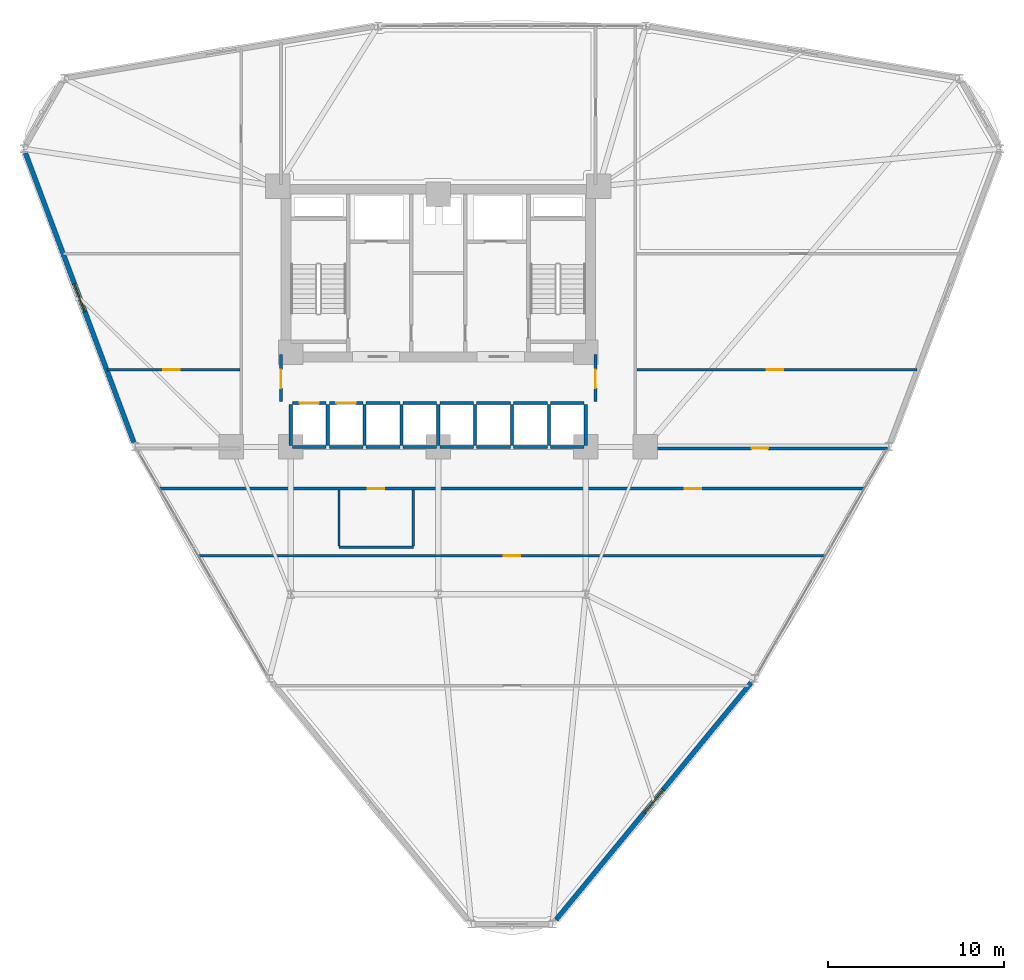
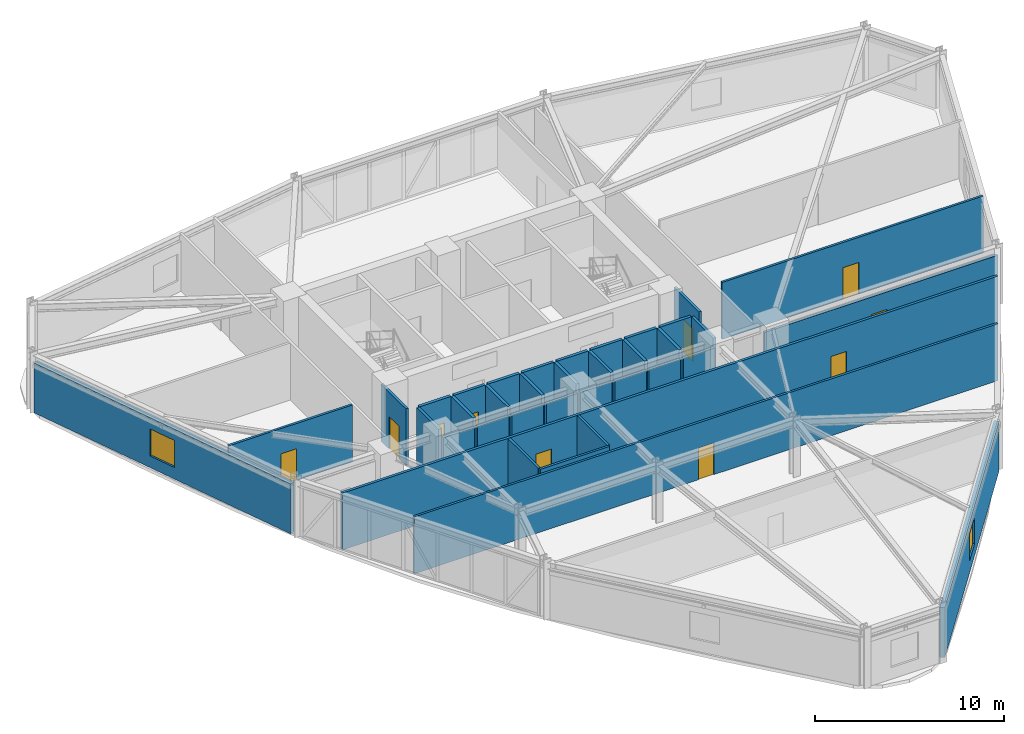
# One storey, part 14 of 20: 37 walls, 10 doors, 2 windows, 12 openings.
"""IFC4 building model written with IfcOpenShell, lengths in metres."""

import ifcopenshell
import ifcopenshell.guid

model = None  # the IFC model being written
_history = None  # IfcOwnerHistory: only IFC2X3 demands one
_inside = {}  # id of a spatial element -> (the spatial element, [elements in it])
_under = {}  # id of a project, library or spatial element -> (it, [spatial elements below it])
_declared = {}  # id of a project -> (the project, [libraries it declares])
_typed = {}  # id of a type object -> (the type object, [elements of that type])
_made_of = {}  # id of a material, layer set ... -> (it, [elements and type objects made of it])


def new_model(schema):
    """Start an empty IFC model of exactly this schema.

    Asked for "IFC4X3", IfcOpenShell would pick the latest addendum, in which some entities
    have other attributes; the version numbers below select the first issue.
    IFC2X3 requires an IfcOwnerHistory on every rooted entity: one is made here for all.
    """
    global model, _history
    if schema == "IFC4X3":
        model = ifcopenshell.file(schema_version=(4, 3, 0, 0))
    else:
        model = ifcopenshell.file(schema=schema)
    _inside.clear()
    _under.clear()
    _declared.clear()
    _typed.clear()
    _made_of.clear()
    _history = None
    if model.schema == "IFC2X3":
        org = make("IfcOrganization", Name="unknown")
        user = make(
            "IfcPersonAndOrganization",
            ThePerson=make("IfcPerson", FamilyName="unknown"),
            TheOrganization=org,
        )
        app = make(
            "IfcApplication",
            ApplicationDeveloper=org,
            Version="unknown",
            ApplicationFullName="unknown",
            ApplicationIdentifier="unknown",
        )
        _history = make(
            "IfcOwnerHistory",
            OwningUser=user,
            OwningApplication=app,
            ChangeAction="ADDED",
            CreationDate=0,
        )
    return model


def make(cls, **values):
    """One entity of the class cls with the attributes given. An attribute that is None is left unset."""
    return model.create_entity(
        cls, **{name: value for name, value in values.items() if value is not None}
    )


def rooted(cls, **values):
    """An entity with a GlobalId (a new one), such as an element, a storey or a relation."""
    return make(cls, GlobalId=ifcopenshell.guid.new(), OwnerHistory=_history, **values)


def si_unit(unit_type, name, prefix=None):
    """IfcSIUnit, for example si_unit("LENGTHUNIT", "METRE", prefix="MILLI")."""
    return make("IfcSIUnit", UnitType=unit_type, Prefix=prefix, Name=name)


def derived_unit(unit_type, elements):
    """IfcDerivedUnit: a product of units, each with its exponent."""
    return make(
        "IfcDerivedUnit",
        Elements=[
            make("IfcDerivedUnitElement", Unit=unit, Exponent=power)
            for unit, power in elements
        ],
        UnitType=unit_type,
    )


def assignment(units):
    """IfcUnitAssignment: the units of a project."""
    return None if units is None else make("IfcUnitAssignment", Units=units)


def point(xyz):
    """IfcCartesianPoint."""
    return None if xyz is None else make("IfcCartesianPoint", Coordinates=xyz)


def direction(xyz):
    """IfcDirection."""
    return None if xyz is None else make("IfcDirection", DirectionRatios=xyz)


def frame(location, z_axis=None, x_axis=None):
    """IfcAxis2Placement3D, a coordinate frame: its origin and axes. An axis left out is left unset."""
    return make(
        "IfcAxis2Placement3D",
        Location=point(location),
        Axis=direction(z_axis),
        RefDirection=direction(x_axis),
    )


def frame_2d(location, x_axis=None):
    """IfcAxis2Placement2D, a coordinate frame in the plane: its origin and x axis."""
    return make(
        "IfcAxis2Placement2D", Location=point(location), RefDirection=direction(x_axis)
    )


def origin():
    """The frame at (0, 0, 0) with its axes left unset."""
    return frame((0.0, 0.0, 0.0))


def place(relative_to, where):
    """IfcLocalPlacement: puts the frame where relative to a parent placement (None: the world)."""
    return make(
        "IfcLocalPlacement", PlacementRelTo=relative_to, RelativePlacement=where
    )


def context(
    kind, dimensions, precision=None, world=None, true_north=None, identifier=None
):
    """IfcGeometricRepresentationContext, for example the 3D "Model" context."""
    return make(
        "IfcGeometricRepresentationContext",
        ContextIdentifier=identifier,
        ContextType=kind,
        CoordinateSpaceDimension=dimensions,
        Precision=precision,
        WorldCoordinateSystem=world,
        TrueNorth=true_north,
    )


def subcontext(parent, identifier, kind, view, scale=None):
    """IfcGeometricRepresentationSubContext, for example "Body" below "Model"."""
    return make(
        "IfcGeometricRepresentationSubContext",
        ContextIdentifier=identifier,
        ContextType=kind,
        ParentContext=parent,
        TargetScale=scale,
        TargetView=view,
    )


def project(units=None, contexts=None):
    """IfcProject with its units and contexts."""
    return rooted(
        "IfcProject",
        Name="project",
        RepresentationContexts=contexts,
        UnitsInContext=assignment(units),
    )


def spatial(cls, under=None, at=None, **own):
    """A site, building, storey or space (cls), placed at a placement, below another one or the project."""
    s = rooted(cls, ObjectPlacement=at, **own)
    if under is not None:
        _under.setdefault(under.id(), (under, []))[1].append(s)
    return s


def profile(cls, at=None, kind="AREA", **sizes):
    """A parametric profile (cls). Its sizes go by their IFC names, for example OverallWidth=200.0."""
    return make(cls, ProfileType=kind, Position=at, **sizes)


def rectangle(**sizes):
    """IfcRectangleProfileDef."""
    return profile("IfcRectangleProfileDef", **sizes)


def extrude(swept, where, along, depth):
    """IfcExtrudedAreaSolid: the profile swept, set in the frame where, extruded along a direction by depth."""
    return make(
        "IfcExtrudedAreaSolid",
        SweptArea=swept,
        Position=where,
        ExtrudedDirection=direction(along),
        Depth=depth,
    )


def shape(context_of_items, identifier, shape_type, items):
    """IfcShapeRepresentation: the items that make up one representation, for example the "Body"."""
    return make(
        "IfcShapeRepresentation",
        ContextOfItems=context_of_items,
        RepresentationIdentifier=identifier,
        RepresentationType=shape_type,
        Items=items,
    )


def material(Name=None, Category=None):
    """IfcMaterial."""
    return make("IfcMaterial", Name=Name, Category=Category)


def layer(
    of_material, thickness, ventilated=None, Name=None, Category=None, Priority=None
):
    """IfcMaterialLayer: one layer of a wall or slab, of a material (None: an air gap)."""
    return make(
        "IfcMaterialLayer",
        Material=of_material,
        LayerThickness=thickness,
        IsVentilated=ventilated,
        Name=Name,
        Category=Category,
        Priority=Priority,
    )


def layer_set(layers, Name=None):
    """IfcMaterialLayerSet."""
    return make("IfcMaterialLayerSet", MaterialLayers=layers, LayerSetName=Name)


def made_of(thing, what):
    """Note that an element or type object is made of a material, layer set ...; save() writes the relation."""
    if what is not None:
        _made_of.setdefault(what.id(), (what, []))[1].append(thing)
    return thing


def type_object(cls, material=None, **own):
    """A type object (cls), such as IfcWallType, which elements share."""
    return made_of(rooted(cls, **own), material)


def element(
    cls,
    number,
    at=None,
    inside=None,
    cuts=None,
    type_object=None,
    material=None,
    context=None,
    identifier="Body",
    shape_type=None,
    held_by="IfcProductDefinitionShape",
    body=None,
    shapes=None,
    **own,
):
    """One element of the class cls, such as IfcWall. Its Tag is "e" and its number.

    at: its placement. inside: the storey or other place that contains it. cuts: it is an
    opening in that element (IfcRelVoidsElement). A single representation is given by context,
    identifier, shape_type and body (its items); several are given by shapes. held_by: the class
    of the entity that holds the representations. save() writes the other relations.
    """
    e = rooted(cls, Tag="e%d" % number, ObjectPlacement=at, **own)
    if body is not None:
        shapes = [shape(context, identifier, shape_type, body)]
    if shapes is not None:
        e.Representation = make(held_by, Representations=shapes)
    if inside is not None:
        _inside.setdefault(inside.id(), (inside, []))[1].append(e)
    if cuts is not None:
        rooted(
            "IfcRelVoidsElement", RelatingBuildingElement=cuts, RelatedOpeningElement=e
        )
    if type_object is not None:
        _typed.setdefault(type_object.id(), (type_object, []))[1].append(e)
    return made_of(e, material)


def fill(opening, filler):
    """IfcRelFillsElement: the door or window that sits in an opening."""
    return rooted(
        "IfcRelFillsElement",
        RelatingOpeningElement=opening,
        RelatedBuildingElement=filler,
    )


def aggregate(whole, parts):
    """IfcRelAggregates: a whole, such as a stair, and the parts it consists of."""
    return rooted("IfcRelAggregates", RelatingObject=whole, RelatedObjects=parts)


def save(model, path):
    """Write the relations noted so far, then the file.

    IfcRelAggregates (storeys below a building ...), IfcRelContainedInSpatialStructure (elements
    in a storey), IfcRelDefinesByType, IfcRelAssociatesMaterial and IfcRelDeclares: one each for
    every whole, place, type object, material and project.
    """
    for whole, parts in _under.values():
        aggregate(whole, parts)
    for where, things in _inside.values():
        rooted(
            "IfcRelContainedInSpatialStructure",
            RelatedElements=things,
            RelatingStructure=where,
        )
    for kind, things in _typed.values():
        rooted("IfcRelDefinesByType", RelatedObjects=things, RelatingType=kind)
    for what, things in _made_of.values():
        rooted("IfcRelAssociatesMaterial", RelatedObjects=things, RelatingMaterial=what)
    for by, libraries in _declared.values():
        rooted("IfcRelDeclares", RelatingContext=by, RelatedDefinitions=libraries)
    model.write(path)


model = new_model("IFC4")

# Units and contexts
model_context = context("Model", 3, precision=1e-05, world=origin(), true_north=direction((0.0, 1.0)))
body_context = subcontext(model_context, "Body", "Model", "MODEL_VIEW")
ifc_project = project(units=[si_unit("LENGTHUNIT", "METRE"), si_unit("AREAUNIT", "SQUARE_METRE"), si_unit("VOLUMEUNIT", "CUBIC_METRE"), si_unit("PLANEANGLEUNIT", "RADIAN"), si_unit("MASSUNIT", "GRAM", prefix="KILO"), derived_unit("THERMALTRANSMITTANCEUNIT", [(si_unit("POWERUNIT", "WATT"), 1), (si_unit("LENGTHUNIT", "METRE"), -2), (si_unit("THERMODYNAMICTEMPERATUREUNIT", "KELVIN"), -1)])], contexts=[model_context])

# Site, building, storey
site_placement = place(None, origin())
site = spatial("IfcSite", under=ifc_project, at=site_placement, CompositionType="ELEMENT")
building_placement = place(site_placement, origin())
building = spatial("IfcBuilding", under=site, at=building_placement, Name="Korsvarv Bourse and Concert Hall", CompositionType="ELEMENT")
storey_placement = place(building_placement, frame((0.0, 0.0, 67.800048828125)))
storey = spatial("IfcBuildingStorey", under=building, at=storey_placement, Name="L16", CompositionType="ELEMENT", Elevation=67.800048828125)

# Wall, opening, window
ifc_material_1 = material(Name="Precast concrete C45/55 with fluted terracotta pier", Category="concrete")
ifc_layer_1 = layer(ifc_material_1, 0.280029296875)
ifc_layer_set_1 = layer_set([ifc_layer_1], Name="Precast concrete C45/55 with fluted terracotta pier")
wall_type_1 = type_object("IfcWallType", Name="WL-EXT-TC2", PredefinedType="SOLIDWALL", material=ifc_layer_set_1)
wall_1_placement = place(storey_placement, frame((12.47412109375, 49.14013671875, 0.0), z_axis=(0.0, 0.0, 1.0), x_axis=(0.350845241249, -0.93643345556, 0.0)))
wall_1 = element("IfcWall", 1, at=wall_1_placement, inside=storey, type_object=wall_type_1, Name="L16 terracotta exterior wall EW-L16-B06", PredefinedType="SOLIDWALL", context=body_context, shape_type="SweptSolid", body=[
    extrude(rectangle(XDim=17.6005859375, YDim=0.280029296875, at=frame_2d((8.80029296875, 0.0))), origin(), (0.0, 0.0, 1.0), 3.22998046875),
])
opening_1_placement = place(wall_1_placement, frame((7.9501953125, 0.0, 0.75)))
opening_1 = element("IfcOpeningElement", 2, at=opening_1_placement, cuts=wall_1, Name="Opening W-01", PredefinedType="OPENING", context=body_context, shape_type="SweptSolid", body=[
    extrude(rectangle(XDim=1.699951171875, YDim=1.75, at=frame_2d((0.85009765625, 0.875))), frame((0.0, 0.14990234375, 0.0), z_axis=(0.0, -1.0, 0.0), x_axis=(1.0, 0.0, 0.0)), (0.0, 0.0, 1.0), 0.300048828125),
])
ifc_material_2 = material(Name="Thermally broken aluminium frame with triple low-E glass", Category="glass")
window_type = type_object("IfcWindowType", Name="WIN-TW1", PartitioningType="SINGLE_PANEL", PredefinedType="WINDOW", material=ifc_material_2)
window_1_placement = place(opening_1_placement, origin())
window_1 = element("IfcWindow", 3, at=window_1_placement, inside=storey, type_object=window_type, Name="L16 punched facade window W-01", OverallHeight=1.75, OverallWidth=1.699951171875, PartitioningType="SINGLE_PANEL", PredefinedType="WINDOW", context=body_context, shape_type="SweptSolid", body=[
    extrude(rectangle(XDim=1.699951171875, YDim=1.75, at=frame_2d((0.85009765625, 0.875))), frame((0.0, 0.030029296875, 0.0), z_axis=(0.0, -1.0, 0.0), x_axis=(1.0, 0.0, 0.0)), (0.0, 0.0, 1.0), 0.06005859375),
])
fill(opening_1, window_1)

wall_2_placement = place(storey_placement, frame((42.71826171875, 5.4609375, 0.0), z_axis=(0.0, 0.0, 1.0), x_axis=(0.635547248194, 0.772061976342, 0.0)))
wall_2 = element("IfcWall", 4, at=wall_2_placement, inside=storey, type_object=wall_type_1, Name="L16 terracotta exterior wall EW-L16-B10", PredefinedType="SOLIDWALL", context=body_context, shape_type="SweptSolid", body=[
    extrude(rectangle(XDim=17.490478515625, YDim=0.280029296875, at=frame_2d((8.7451171875, 0.0))), origin(), (0.0, 0.0, 1.0), 3.22998046875),
])
opening_2_placement = place(wall_2_placement, frame((7.895263671875, 0.0, 0.75)))
opening_2 = element("IfcOpeningElement", 5, at=opening_2_placement, cuts=wall_2, Name="Opening W-01", PredefinedType="OPENING", context=body_context, shape_type="SweptSolid", body=[
    extrude(rectangle(XDim=1.699951171875, YDim=1.75, at=frame_2d((0.85009765625, 0.875))), frame((0.0, 0.14990234375, 0.0), z_axis=(0.0, -1.0, 0.0), x_axis=(1.0, 0.0, 0.0)), (0.0, 0.0, 1.0), 0.300048828125),
])
window_2_placement = place(opening_2_placement, origin())
window_2 = element("IfcWindow", 6, at=window_2_placement, inside=storey, type_object=window_type, Name="L16 punched facade window W-01", OverallHeight=1.75, OverallWidth=1.699951171875, PartitioningType="SINGLE_PANEL", PredefinedType="WINDOW", context=body_context, shape_type="SweptSolid", body=[
    extrude(rectangle(XDim=1.699951171875, YDim=1.75, at=frame_2d((0.85009765625, 0.875))), frame((0.0, 0.030029296875, 0.0), z_axis=(0.0, -1.0, 0.0), x_axis=(1.0, 0.0, 0.0)), (0.0, 0.0, 1.0), 0.06005859375),
])
fill(opening_2, window_2)

# Wall, opening, door
ifc_material_3 = material(Name="Double-stud fire-rated acoustic partition", Category="gypsum")
ifc_layer_2 = layer(ifc_material_3, 0.159912109375)
ifc_layer_set_2 = layer_set([ifc_layer_2], Name="Double-stud fire-rated acoustic partition")
wall_type_2 = type_object("IfcWallType", Name="WL-INT-EI60", PredefinedType="PARTITIONING", material=ifc_layer_set_2)
wall_3_placement = place(storey_placement, frame((27.0400390625, 35.0, 0.0), z_axis=(0.0, 0.0, 1.0), x_axis=(0.0, 1.0, 0.0)))
wall_3 = element("IfcWall", 7, at=wall_3_placement, inside=storey, type_object=wall_type_2, Name="L16 interior partition wall W-L16-LOB-W", PredefinedType="PARTITIONING", context=body_context, shape_type="SweptSolid", body=[
    extrude(rectangle(XDim=2.64990234375, YDim=0.159912109375, at=frame_2d((1.324951171875, 0.0))), origin(), (0.0, 0.0, 1.0), 3.679931640625),
])
opening_3_placement = place(wall_3_placement, frame((0.75, 0.0, 0.0)))
opening_3 = element("IfcOpeningElement", 8, at=opening_3_placement, cuts=wall_3, Name="Opening D-01", PredefinedType="OPENING", context=body_context, shape_type="SweptSolid", body=[
    extrude(rectangle(XDim=1.050048828125, YDim=2.10009765625, at=frame_2d((0.52490234375, 1.050048828125))), frame((0.0, 0.08984375, 0.0), z_axis=(0.0, -1.0, 0.0), x_axis=(1.0, 0.0, 0.0)), (0.0, 0.0, 1.0), 0.179931640625),
])
ifc_material_4 = material(Name="Steel S355 fire door", Category="steel")
door_type_1 = type_object("IfcDoorType", Name="DR-FD60", OperationType="NOTDEFINED", PredefinedType="DOOR", material=ifc_material_4)
door_1_placement = place(opening_3_placement, frame((1.050048828125, 0.0, 0.0), z_axis=(0.0, 0.0, 1.0), x_axis=(-1.0, 0.0, 0.0)))
door_1 = element("IfcDoor", 9, at=door_1_placement, inside=storey, type_object=door_type_1, Name="L16 interior door DR-L16-LOBW", OperationType="SINGLE_SWING_RIGHT", OverallHeight=2.10009765625, OverallWidth=1.050048828125, PredefinedType="DOOR", context=body_context, shape_type="SweptSolid", body=[
    extrude(rectangle(XDim=1.050048828125, YDim=2.10009765625, at=frame_2d((0.52490234375, 1.050048828125))), frame((0.0, 0.02490234375, 0.0), z_axis=(0.0, -1.0, 0.0), x_axis=(1.0, 0.0, 0.0)), (0.0, 0.0, 1.0), 0.050048828125),
])
fill(opening_3, door_1)

wall_4_placement = place(storey_placement, frame((44.9599609375, 35.0, 0.0), z_axis=(0.0, 0.0, 1.0), x_axis=(0.0, 1.0, 0.0)))
wall_4 = element("IfcWall", 10, at=wall_4_placement, inside=storey, type_object=wall_type_2, Name="L16 interior partition wall W-L16-LOB-E", PredefinedType="PARTITIONING", context=body_context, shape_type="SweptSolid", body=[
    extrude(rectangle(XDim=2.64990234375, YDim=0.159912109375, at=frame_2d((1.324951171875, 0.0))), origin(), (0.0, 0.0, 1.0), 3.679931640625),
])
opening_4_placement = place(wall_4_placement, frame((0.75, 0.0, 0.0)))
opening_4 = element("IfcOpeningElement", 11, at=opening_4_placement, cuts=wall_4, Name="Opening D-01", PredefinedType="OPENING", context=body_context, shape_type="SweptSolid", body=[
    extrude(rectangle(XDim=1.050048828125, YDim=2.10009765625, at=frame_2d((0.52490234375, 1.050048828125))), frame((0.0, 0.08984375, 0.0), z_axis=(0.0, -1.0, 0.0), x_axis=(1.0, 0.0, 0.0)), (0.0, 0.0, 1.0), 0.179931640625),
])
door_2_placement = place(opening_4_placement, origin())
door_2 = element("IfcDoor", 12, at=door_2_placement, inside=storey, type_object=door_type_1, Name="L16 interior door DR-L16-LOBE", OperationType="SINGLE_SWING_LEFT", OverallHeight=2.10009765625, OverallWidth=1.050048828125, PredefinedType="DOOR", context=body_context, shape_type="SweptSolid", body=[
    extrude(rectangle(XDim=1.050048828125, YDim=2.10009765625, at=frame_2d((0.52490234375, 1.050048828125))), frame((0.0, 0.02490234375, 0.0), z_axis=(0.0, -1.0, 0.0), x_axis=(1.0, 0.0, 0.0)), (0.0, 0.0, 1.0), 0.050048828125),
])
fill(opening_4, door_2)

# Wall, openings, doors
wall_5_placement = place(storey_placement, frame((20.140625, 30.02490234375, 0.0), z_axis=(0.0, 0.0, 1.0), x_axis=(1.0, 0.0, 0.0)))
wall_5 = element("IfcWall", 13, at=wall_5_placement, inside=storey, type_object=wall_type_2, Name="L16 interior partition wall W-L16-TCOR-01", PredefinedType="PARTITIONING", context=body_context, shape_type="SweptSolid", body=[
    extrude(rectangle(XDim=40.118896484375, YDim=0.159912109375, at=frame_2d((20.0595703125, 0.0))), origin(), (0.0, 0.0, 1.0), 3.679931640625),
])
opening_5_placement = place(wall_5_placement, frame((11.844482421875, 0.0, 0.0)))
opening_5 = element("IfcOpeningElement", 14, at=opening_5_placement, cuts=wall_5, Name="Opening D-02", PredefinedType="OPENING", context=body_context, shape_type="SweptSolid", body=[
    extrude(rectangle(XDim=0.949951171875, YDim=2.050048828125, at=frame_2d((0.47509765625, 1.02490234375))), frame((0.0, 0.08984375, 0.0), z_axis=(0.0, -1.0, 0.0), x_axis=(1.0, 0.0, 0.0)), (0.0, 0.0, 1.0), 0.179931640625),
])
opening_6_placement = place(wall_5_placement, frame((29.8955078125, 0.0, 0.0)))
opening_6 = element("IfcOpeningElement", 15, at=opening_6_placement, cuts=wall_5, Name="Opening D-02", PredefinedType="OPENING", context=body_context, shape_type="SweptSolid", body=[
    extrude(rectangle(XDim=0.949951171875, YDim=2.050048828125, at=frame_2d((0.47509765625, 1.02490234375))), frame((0.0, 0.08984375, 0.0), z_axis=(0.0, -1.0, 0.0), x_axis=(1.0, 0.0, 0.0)), (0.0, 0.0, 1.0), 0.179931640625),
])
ifc_material_5 = material(Name="Timber and steel acoustic fire door", Category="wood")
door_type_2 = type_object("IfcDoorType", Name="DR-FD30", OperationType="NOTDEFINED", PredefinedType="DOOR", material=ifc_material_5)
door_3_placement = place(opening_5_placement, origin())
door_3 = element("IfcDoor", 16, at=door_3_placement, inside=storey, type_object=door_type_2, Name="L16 interior door DR-L16-TCOR-RWC", OperationType="SINGLE_SWING_RIGHT", OverallHeight=2.050048828125, OverallWidth=0.949951171875, PredefinedType="DOOR", context=body_context, shape_type="SweptSolid", body=[
    extrude(rectangle(XDim=0.949951171875, YDim=2.050048828125, at=frame_2d((0.47509765625, 1.02490234375))), frame((0.0, 0.02490234375, 0.0), z_axis=(0.0, -1.0, 0.0), x_axis=(1.0, 0.0, 0.0)), (0.0, 0.0, 1.0), 0.050048828125),
])
fill(opening_5, door_3)
door_4_placement = place(opening_6_placement, origin())
door_4 = element("IfcDoor", 17, at=door_4_placement, inside=storey, type_object=door_type_2, Name="L16 interior door DR-L16-TCOR-QT16", OperationType="SINGLE_SWING_LEFT", OverallHeight=2.050048828125, OverallWidth=0.949951171875, PredefinedType="DOOR", context=body_context, shape_type="SweptSolid", body=[
    extrude(rectangle(XDim=0.949951171875, YDim=2.050048828125, at=frame_2d((0.47509765625, 1.02490234375))), frame((0.0, 0.02490234375, 0.0), z_axis=(0.0, -1.0, 0.0), x_axis=(1.0, 0.0, 0.0)), (0.0, 0.0, 1.0), 0.050048828125),
])
fill(opening_6, door_4)

# Wall, opening, door
wall_6_placement = place(storey_placement, frame((47.306884765625, 32.31494140625, 0.0), z_axis=(0.0, 0.0, 1.0), x_axis=(1.0, 0.0, 0.0)))
wall_6 = element("IfcWall", 18, at=wall_6_placement, inside=storey, type_object=wall_type_2, Name="L16 interior partition wall W-L16-TCOR-04", PredefinedType="PARTITIONING", context=body_context, shape_type="SweptSolid", body=[
    extrude(rectangle(XDim=14.274658203125, YDim=0.159912109375, at=frame_2d((7.13720703125, 0.0))), origin(), (0.0, 0.0, 1.0), 3.179931640625),
])
opening_7_placement = place(wall_6_placement, frame((6.541015625, 0.0, 0.0)))
opening_7 = element("IfcOpeningElement", 19, at=opening_7_placement, cuts=wall_6, Name="Opening D-02", PredefinedType="OPENING", context=body_context, shape_type="SweptSolid", body=[
    extrude(rectangle(XDim=0.949951171875, YDim=2.050048828125, at=frame_2d((0.47509765625, 1.02490234375))), frame((0.0, 0.08984375, 0.0), z_axis=(0.0, -1.0, 0.0), x_axis=(1.0, 0.0, 0.0)), (0.0, 0.0, 1.0), 0.179931640625),
])
door_5_placement = place(opening_7_placement, origin())
door_5 = element("IfcDoor", 20, at=door_5_placement, inside=storey, type_object=door_type_2, Name="L16 interior door DR-L16-TCOR-QT71", OperationType="SINGLE_SWING_LEFT", OverallHeight=2.050048828125, OverallWidth=0.949951171875, PredefinedType="DOOR", context=body_context, shape_type="SweptSolid", body=[
    extrude(rectangle(XDim=0.949951171875, YDim=2.050048828125, at=frame_2d((0.47509765625, 1.02490234375))), frame((0.0, 0.02490234375, 0.0), z_axis=(0.0, -1.0, 0.0), x_axis=(1.0, 0.0, 0.0)), (0.0, 0.0, 1.0), 0.050048828125),
])
fill(opening_7, door_5)

ifc_material_6 = material(Name="Gypsum-clad autoclaved concrete shaft wall C30/37", Category="concrete")
ifc_layer_3 = layer(ifc_material_6, 0.179931640625)
ifc_layer_set_3 = layer_set([ifc_layer_3], Name="Gypsum-clad autoclaved concrete shaft wall C30/37")
wall_type_3 = type_object("IfcWallType", Name="WL-INT-EI90", PredefinedType="PARTITIONING", material=ifc_layer_set_3)
wall_7_placement = place(storey_placement, frame((27.68994140625, 34.89990234375, 0.0), z_axis=(0.0, 0.0, 1.0), x_axis=(1.0, 0.0, 0.0)))
wall_7 = element("IfcWall", 21, at=wall_7_placement, inside=storey, type_object=wall_type_3, Name="L16 interior partition wall W-L16-SHFN-PL1", PredefinedType="PARTITIONING", context=body_context, shape_type="SweptSolid", body=[
    extrude(rectangle(XDim=1.920166015625, YDim=0.179931640625, at=frame_2d((0.9599609375, 0.0))), origin(), (0.0, 0.0, 1.0), 3.679931640625),
])
opening_8_placement = place(wall_7_placement, frame((0.409912109375, 0.0, 0.0)))
opening_8 = element("IfcOpeningElement", 22, at=opening_8_placement, cuts=wall_7, Name="Opening LD-2", PredefinedType="OPENING", context=body_context, shape_type="SweptSolid", body=[
    extrude(rectangle(XDim=1.10009765625, YDim=2.10009765625, at=frame_2d((0.550048828125, 1.050048828125))), frame((0.0, 0.10009765625, 0.0), z_axis=(0.0, -1.0, 0.0), x_axis=(1.0, 0.0, 0.0)), (0.0, 0.0, 1.0), 0.199951171875),
])
ifc_material_7 = material(Name="Brushed stainless Steel S355 lift landing door", Category="steel")
door_type_3 = type_object("IfcDoorType", Name="DR-LIFT-P", OperationType="DOUBLE_DOOR_SLIDING", PredefinedType="DOOR", material=ifc_material_7)
door_6_placement = place(opening_8_placement, origin())
door_6 = element("IfcDoor", 23, at=door_6_placement, inside=storey, type_object=door_type_3, Name="L16 lift sliding landing door LD-L16-PL1", OperationType="DOUBLE_DOOR_SLIDING", OverallHeight=2.10009765625, OverallWidth=1.10009765625, PredefinedType="DOOR", context=body_context, shape_type="SweptSolid", body=[
    extrude(rectangle(XDim=1.10009765625, YDim=2.10009765625, at=frame_2d((0.550048828125, 1.050048828125))), frame((0.0, 0.02490234375, 0.0), z_axis=(0.0, -1.0, 0.0), x_axis=(1.0, 0.0, 0.0)), (0.0, 0.0, 1.0), 0.050048828125),
])
fill(opening_8, door_6)

# Walls
wall_8_placement = place(storey_placement, frame((27.68994140625, 32.39990234375, 0.0), z_axis=(0.0, 0.0, 1.0), x_axis=(1.0, 0.0, 0.0)))
element("IfcWall", 24, at=wall_8_placement, inside=storey, type_object=wall_type_3, Name="L16 interior partition wall W-L16-SHFS-PL1", PredefinedType="PARTITIONING", context=body_context, shape_type="SweptSolid", body=[
    extrude(rectangle(XDim=1.920166015625, YDim=0.179931640625, at=frame_2d((0.9599609375, 0.0))), origin(), (0.0, 0.0, 1.0), 3.179931640625),
])
wall_9_placement = place(storey_placement, frame((27.60009765625, 32.489990234375, 0.0), z_axis=(0.0, 0.0, 1.0), x_axis=(0.0, 1.0, 0.0)))
element("IfcWall", 25, at=wall_9_placement, inside=storey, type_object=wall_type_3, Name="L16 interior partition wall W-L16-SHFW-PL1", PredefinedType="PARTITIONING", context=body_context, shape_type="SweptSolid", body=[
    extrude(rectangle(XDim=2.320068359375, YDim=0.179931640625, at=frame_2d((1.16015625, 0.0))), origin(), (0.0, 0.0, 1.0), 3.679931640625),
])

# Wall, opening, door
wall_10_placement = place(storey_placement, frame((29.7900390625, 34.89990234375, 0.0), z_axis=(0.0, 0.0, 1.0), x_axis=(1.0, 0.0, 0.0)))
wall_10 = element("IfcWall", 26, at=wall_10_placement, inside=storey, type_object=wall_type_3, Name="L16 interior partition wall W-L16-SHFN-PL2", PredefinedType="PARTITIONING", context=body_context, shape_type="SweptSolid", body=[
    extrude(rectangle(XDim=1.919921875, YDim=0.179931640625, at=frame_2d((0.9599609375, 0.0))), origin(), (0.0, 0.0, 1.0), 3.679931640625),
])
opening_9_placement = place(wall_10_placement, frame((0.409912109375, 0.0, 0.0)))
opening_9 = element("IfcOpeningElement", 27, at=opening_9_placement, cuts=wall_10, Name="Opening LD-2", PredefinedType="OPENING", context=body_context, shape_type="SweptSolid", body=[
    extrude(rectangle(XDim=1.10009765625, YDim=2.10009765625, at=frame_2d((0.550048828125, 1.050048828125))), frame((0.0, 0.10009765625, 0.0), z_axis=(0.0, -1.0, 0.0), x_axis=(1.0, 0.0, 0.0)), (0.0, 0.0, 1.0), 0.199951171875),
])
door_7_placement = place(opening_9_placement, origin())
door_7 = element("IfcDoor", 28, at=door_7_placement, inside=storey, type_object=door_type_3, Name="L16 lift sliding landing door LD-L16-PL2", OperationType="DOUBLE_DOOR_SLIDING", OverallHeight=2.10009765625, OverallWidth=1.10009765625, PredefinedType="DOOR", context=body_context, shape_type="SweptSolid", body=[
    extrude(rectangle(XDim=1.10009765625, YDim=2.10009765625, at=frame_2d((0.550048828125, 1.050048828125))), frame((0.0, 0.02490234375, 0.0), z_axis=(0.0, -1.0, 0.0), x_axis=(1.0, 0.0, 0.0)), (0.0, 0.0, 1.0), 0.050048828125),
])
fill(opening_9, door_7)

# Walls
wall_11_placement = place(storey_placement, frame((29.7900390625, 32.39990234375, 0.0), z_axis=(0.0, 0.0, 1.0), x_axis=(1.0, 0.0, 0.0)))
element("IfcWall", 29, at=wall_11_placement, inside=storey, type_object=wall_type_3, Name="L16 interior partition wall W-L16-SHFS-PL2", PredefinedType="PARTITIONING", context=body_context, shape_type="SweptSolid", body=[
    extrude(rectangle(XDim=1.919921875, YDim=0.179931640625, at=frame_2d((0.9599609375, 0.0))), origin(), (0.0, 0.0, 1.0), 3.179931640625),
])
wall_12_placement = place(storey_placement, frame((29.699951171875, 32.489990234375, 0.0), z_axis=(0.0, 0.0, 1.0), x_axis=(0.0, 1.0, 0.0)))
element("IfcWall", 30, at=wall_12_placement, inside=storey, type_object=wall_type_3, Name="L16 interior partition wall W-L16-SHFW-PL2", PredefinedType="PARTITIONING", context=body_context, shape_type="SweptSolid", body=[
    extrude(rectangle(XDim=2.320068359375, YDim=0.179931640625, at=frame_2d((1.16015625, 0.0))), origin(), (0.0, 0.0, 1.0), 3.679931640625),
])
wall_13_placement = place(storey_placement, frame((31.889892578125, 34.89990234375, 0.0), z_axis=(0.0, 0.0, 1.0), x_axis=(1.0, 0.0, 0.0)))
element("IfcWall", 31, at=wall_13_placement, inside=storey, type_object=wall_type_3, Name="L16 interior partition wall W-L16-SHFN-PM1", PredefinedType="PARTITIONING", context=body_context, shape_type="SweptSolid", body=[
    extrude(rectangle(XDim=1.920166015625, YDim=0.179931640625, at=frame_2d((0.9599609375, 0.0))), origin(), (0.0, 0.0, 1.0), 3.679931640625),
])
wall_14_placement = place(storey_placement, frame((31.889892578125, 32.39990234375, 0.0), z_axis=(0.0, 0.0, 1.0), x_axis=(1.0, 0.0, 0.0)))
element("IfcWall", 32, at=wall_14_placement, inside=storey, type_object=wall_type_3, Name="L16 interior partition wall W-L16-SHFS-PM1", PredefinedType="PARTITIONING", context=body_context, shape_type="SweptSolid", body=[
    extrude(rectangle(XDim=1.920166015625, YDim=0.179931640625, at=frame_2d((0.9599609375, 0.0))), origin(), (0.0, 0.0, 1.0), 3.179931640625),
])
wall_15_placement = place(storey_placement, frame((31.800048828125, 32.489990234375, 0.0), z_axis=(0.0, 0.0, 1.0), x_axis=(0.0, 1.0, 0.0)))
element("IfcWall", 33, at=wall_15_placement, inside=storey, type_object=wall_type_3, Name="L16 interior partition wall W-L16-SHFW-PM1", PredefinedType="PARTITIONING", context=body_context, shape_type="SweptSolid", body=[
    extrude(rectangle(XDim=2.320068359375, YDim=0.179931640625, at=frame_2d((1.16015625, 0.0))), origin(), (0.0, 0.0, 1.0), 3.679931640625),
])
wall_16_placement = place(storey_placement, frame((33.989990234375, 34.89990234375, 0.0), z_axis=(0.0, 0.0, 1.0), x_axis=(1.0, 0.0, 0.0)))
element("IfcWall", 34, at=wall_16_placement, inside=storey, type_object=wall_type_3, Name="L16 interior partition wall W-L16-SHFN-PM2", PredefinedType="PARTITIONING", context=body_context, shape_type="SweptSolid", body=[
    extrude(rectangle(XDim=1.919921875, YDim=0.179931640625, at=frame_2d((0.9599609375, 0.0))), origin(), (0.0, 0.0, 1.0), 3.679931640625),
])
wall_17_placement = place(storey_placement, frame((33.989990234375, 32.39990234375, 0.0), z_axis=(0.0, 0.0, 1.0), x_axis=(1.0, 0.0, 0.0)))
element("IfcWall", 35, at=wall_17_placement, inside=storey, type_object=wall_type_3, Name="L16 interior partition wall W-L16-SHFS-PM2", PredefinedType="PARTITIONING", context=body_context, shape_type="SweptSolid", body=[
    extrude(rectangle(XDim=1.919921875, YDim=0.179931640625, at=frame_2d((0.9599609375, 0.0))), origin(), (0.0, 0.0, 1.0), 3.179931640625),
])
wall_18_placement = place(storey_placement, frame((33.89990234375, 32.489990234375, 0.0), z_axis=(0.0, 0.0, 1.0), x_axis=(0.0, 1.0, 0.0)))
element("IfcWall", 36, at=wall_18_placement, inside=storey, type_object=wall_type_3, Name="L16 interior partition wall W-L16-SHFW-PM2", PredefinedType="PARTITIONING", context=body_context, shape_type="SweptSolid", body=[
    extrude(rectangle(XDim=2.320068359375, YDim=0.179931640625, at=frame_2d((1.16015625, 0.0))), origin(), (0.0, 0.0, 1.0), 3.679931640625),
])
wall_19_placement = place(storey_placement, frame((36.090087890625, 34.89990234375, 0.0), z_axis=(0.0, 0.0, 1.0), x_axis=(1.0, 0.0, 0.0)))
element("IfcWall", 37, at=wall_19_placement, inside=storey, type_object=wall_type_3, Name="L16 interior partition wall W-L16-SHFN-PH1", PredefinedType="PARTITIONING", context=body_context, shape_type="SweptSolid", body=[
    extrude(rectangle(XDim=1.919921875, YDim=0.179931640625, at=frame_2d((0.9599609375, 0.0))), origin(), (0.0, 0.0, 1.0), 3.679931640625),
])
wall_20_placement = place(storey_placement, frame((36.090087890625, 32.39990234375, 0.0), z_axis=(0.0, 0.0, 1.0), x_axis=(1.0, 0.0, 0.0)))
element("IfcWall", 38, at=wall_20_placement, inside=storey, type_object=wall_type_3, Name="L16 interior partition wall W-L16-SHFS-PH1", PredefinedType="PARTITIONING", context=body_context, shape_type="SweptSolid", body=[
    extrude(rectangle(XDim=1.919921875, YDim=0.179931640625, at=frame_2d((0.9599609375, 0.0))), origin(), (0.0, 0.0, 1.0), 3.179931640625),
])
wall_21_placement = place(storey_placement, frame((36.0, 32.489990234375, 0.0), z_axis=(0.0, 0.0, 1.0), x_axis=(0.0, 1.0, 0.0)))
element("IfcWall", 39, at=wall_21_placement, inside=storey, type_object=wall_type_3, Name="L16 interior partition wall W-L16-SHFW-PH1", PredefinedType="PARTITIONING", context=body_context, shape_type="SweptSolid", body=[
    extrude(rectangle(XDim=2.320068359375, YDim=0.179931640625, at=frame_2d((1.16015625, 0.0))), origin(), (0.0, 0.0, 1.0), 3.679931640625),
])
wall_22_placement = place(storey_placement, frame((38.18994140625, 34.89990234375, 0.0), z_axis=(0.0, 0.0, 1.0), x_axis=(1.0, 0.0, 0.0)))
element("IfcWall", 40, at=wall_22_placement, inside=storey, type_object=wall_type_3, Name="L16 interior partition wall W-L16-SHFN-PH2", PredefinedType="PARTITIONING", context=body_context, shape_type="SweptSolid", body=[
    extrude(rectangle(XDim=1.920166015625, YDim=0.179931640625, at=frame_2d((0.9599609375, 0.0))), origin(), (0.0, 0.0, 1.0), 3.679931640625),
])
wall_23_placement = place(storey_placement, frame((38.18994140625, 32.39990234375, 0.0), z_axis=(0.0, 0.0, 1.0), x_axis=(1.0, 0.0, 0.0)))
element("IfcWall", 41, at=wall_23_placement, inside=storey, type_object=wall_type_3, Name="L16 interior partition wall W-L16-SHFS-PH2", PredefinedType="PARTITIONING", context=body_context, shape_type="SweptSolid", body=[
    extrude(rectangle(XDim=1.920166015625, YDim=0.179931640625, at=frame_2d((0.9599609375, 0.0))), origin(), (0.0, 0.0, 1.0), 3.179931640625),
])
wall_24_placement = place(storey_placement, frame((38.10009765625, 32.489990234375, 0.0), z_axis=(0.0, 0.0, 1.0), x_axis=(0.0, 1.0, 0.0)))
element("IfcWall", 42, at=wall_24_placement, inside=storey, type_object=wall_type_3, Name="L16 interior partition wall W-L16-SHFW-PH2", PredefinedType="PARTITIONING", context=body_context, shape_type="SweptSolid", body=[
    extrude(rectangle(XDim=2.320068359375, YDim=0.179931640625, at=frame_2d((1.16015625, 0.0))), origin(), (0.0, 0.0, 1.0), 3.679931640625),
])
wall_25_placement = place(storey_placement, frame((40.2900390625, 34.89990234375, 0.0), z_axis=(0.0, 0.0, 1.0), x_axis=(1.0, 0.0, 0.0)))
element("IfcWall", 43, at=wall_25_placement, inside=storey, type_object=wall_type_3, Name="L16 interior partition wall W-L16-SHFN-PO1", PredefinedType="PARTITIONING", context=body_context, shape_type="SweptSolid", body=[
    extrude(rectangle(XDim=1.919921875, YDim=0.179931640625, at=frame_2d((0.9599609375, 0.0))), origin(), (0.0, 0.0, 1.0), 3.679931640625),
])
wall_26_placement = place(storey_placement, frame((40.2900390625, 32.39990234375, 0.0), z_axis=(0.0, 0.0, 1.0), x_axis=(1.0, 0.0, 0.0)))
element("IfcWall", 44, at=wall_26_placement, inside=storey, type_object=wall_type_3, Name="L16 interior partition wall W-L16-SHFS-PO1", PredefinedType="PARTITIONING", context=body_context, shape_type="SweptSolid", body=[
    extrude(rectangle(XDim=1.919921875, YDim=0.179931640625, at=frame_2d((0.9599609375, 0.0))), origin(), (0.0, 0.0, 1.0), 3.179931640625),
])
wall_27_placement = place(storey_placement, frame((40.199951171875, 32.489990234375, 0.0), z_axis=(0.0, 0.0, 1.0), x_axis=(0.0, 1.0, 0.0)))
element("IfcWall", 45, at=wall_27_placement, inside=storey, type_object=wall_type_3, Name="L16 interior partition wall W-L16-SHFW-PO1", PredefinedType="PARTITIONING", context=body_context, shape_type="SweptSolid", body=[
    extrude(rectangle(XDim=2.320068359375, YDim=0.179931640625, at=frame_2d((1.16015625, 0.0))), origin(), (0.0, 0.0, 1.0), 3.679931640625),
])
wall_28_placement = place(storey_placement, frame((42.389892578125, 34.89990234375, 0.0), z_axis=(0.0, 0.0, 1.0), x_axis=(1.0, 0.0, 0.0)))
element("IfcWall", 46, at=wall_28_placement, inside=storey, type_object=wall_type_3, Name="L16 interior partition wall W-L16-SHFN-PO2", PredefinedType="PARTITIONING", context=body_context, shape_type="SweptSolid", body=[
    extrude(rectangle(XDim=1.920166015625, YDim=0.179931640625, at=frame_2d((0.9599609375, 0.0))), origin(), (0.0, 0.0, 1.0), 3.679931640625),
])
wall_29_placement = place(storey_placement, frame((42.389892578125, 32.39990234375, 0.0), z_axis=(0.0, 0.0, 1.0), x_axis=(1.0, 0.0, 0.0)))
element("IfcWall", 47, at=wall_29_placement, inside=storey, type_object=wall_type_3, Name="L16 interior partition wall W-L16-SHFS-PO2", PredefinedType="PARTITIONING", context=body_context, shape_type="SweptSolid", body=[
    extrude(rectangle(XDim=1.920166015625, YDim=0.179931640625, at=frame_2d((0.9599609375, 0.0))), origin(), (0.0, 0.0, 1.0), 3.179931640625),
])
for number, where, z_axis, x_axis, name in (
    (48, (42.300048828125, 32.489990234375, 0.0), (0.0, 0.0, 1.0), (0.0, 1.0, 0.0), "L16 interior partition wall W-L16-SHFW-PO2"),
    (49, (44.39990234375, 32.489990234375, 0.0), (0.0, 0.0, 1.0), (0.0, 1.0, 0.0), "L16 interior partition wall W-L16-SHFE-END"),
):
    element("IfcWall", number, at=place(storey_placement, frame(where, z_axis=z_axis, x_axis=x_axis)), inside=storey, type_object=wall_type_3, Name=name, PredefinedType="PARTITIONING", context=body_context, shape_type="SweptSolid", body=[
        extrude(rectangle(XDim=2.320068359375, YDim=0.179931640625, at=frame_2d((1.16015625, 0.0))), origin(), (0.0, 0.0, 1.0), 3.679931640625),
    ])

# Wall, opening, door
ifc_material_8 = material(Name="Insulated steel-stud office acoustic partition", Category="gypsum")
ifc_layer_4 = layer(ifc_material_8, 0.139892578125)
ifc_layer_set_4 = layer_set([ifc_layer_4], Name="Insulated steel-stud office acoustic partition")
wall_type_4 = type_object("IfcWallType", Name="WL-INT-P1", PredefinedType="PARTITIONING", material=ifc_layer_set_4)
wall_30_placement = place(storey_placement, frame((22.34619140625, 26.205078125, 0.0), z_axis=(0.0, 0.0, 1.0), x_axis=(1.0, 0.0, 0.0)))
wall_30 = element("IfcWall", 50, at=wall_30_placement, inside=storey, type_object=wall_type_4, Name="L16 interior partition wall W-L16-TCOR-08", PredefinedType="PARTITIONING", context=body_context, shape_type="SweptSolid", body=[
    extrude(rectangle(XDim=35.707763671875, YDim=0.139892578125, at=frame_2d((17.85400390625, 0.0))), origin(), (0.0, 0.0, 1.0), 3.679931640625),
])
opening_10_placement = place(wall_30_placement, frame((17.37890625, 0.0, 0.0)))
opening_10 = element("IfcOpeningElement", 51, at=opening_10_placement, cuts=wall_30, Name="Opening D-03", PredefinedType="OPENING", context=body_context, shape_type="SweptSolid", body=[
    extrude(rectangle(XDim=0.949951171875, YDim=2.050048828125, at=frame_2d((0.47509765625, 1.02490234375))), frame((0.0, 0.080078125, 0.0), z_axis=(0.0, -1.0, 0.0), x_axis=(1.0, 0.0, 0.0)), (0.0, 0.0, 1.0), 0.159912109375),
])
ifc_material_9 = material(Name="Nordic oak acoustic office door", Category="wood")
door_type_4 = type_object("IfcDoorType", Name="DR-INT-1", OperationType="NOTDEFINED", PredefinedType="DOOR", material=ifc_material_9)
door_8_placement = place(opening_10_placement, origin())
door_8 = element("IfcDoor", 52, at=door_8_placement, inside=storey, type_object=door_type_4, Name="L16 interior door DR-L16-TCOR-QT25", OperationType="SINGLE_SWING_RIGHT", OverallHeight=2.050048828125, OverallWidth=0.949951171875, PredefinedType="DOOR", context=body_context, shape_type="SweptSolid", body=[
    extrude(rectangle(XDim=0.949951171875, YDim=2.050048828125, at=frame_2d((0.47509765625, 1.02490234375))), frame((0.0, 0.02490234375, 0.0), z_axis=(0.0, -1.0, 0.0), x_axis=(1.0, 0.0, 0.0)), (0.0, 0.0, 1.0), 0.050048828125),
])
fill(opening_10, door_8)

wall_31_placement = place(storey_placement, frame((47.306884765625, 36.804931640625, 0.0), z_axis=(0.0, 0.0, 1.0), x_axis=(1.0, 0.0, 0.0)))
wall_31 = element("IfcWall", 53, at=wall_31_placement, inside=storey, type_object=wall_type_4, Name="L16 interior partition wall W-L16-TCOR-11", PredefinedType="PARTITIONING", context=body_context, shape_type="SweptSolid", body=[
    extrude(rectangle(XDim=15.9775390625, YDim=0.139892578125, at=frame_2d((7.98876953125, 0.0))), origin(), (0.0, 0.0, 1.0), 3.679931640625),
])
opening_11_placement = place(wall_31_placement, frame((7.40625, 0.0, 0.0)))
opening_11 = element("IfcOpeningElement", 54, at=opening_11_placement, cuts=wall_31, Name="Opening D-03", PredefinedType="OPENING", context=body_context, shape_type="SweptSolid", body=[
    extrude(rectangle(XDim=0.949951171875, YDim=2.050048828125, at=frame_2d((0.47509765625, 1.02490234375))), frame((0.0, 0.080078125, 0.0), z_axis=(0.0, -1.0, 0.0), x_axis=(1.0, 0.0, 0.0)), (0.0, 0.0, 1.0), 0.159912109375),
])
door_9_placement = place(opening_11_placement, origin())
door_9 = element("IfcDoor", 55, at=door_9_placement, inside=storey, type_object=door_type_4, Name="L16 interior door DR-L16-TCOR-QT82", OperationType="SINGLE_SWING_LEFT", OverallHeight=2.050048828125, OverallWidth=0.949951171875, PredefinedType="DOOR", context=body_context, shape_type="SweptSolid", body=[
    extrude(rectangle(XDim=0.949951171875, YDim=2.050048828125, at=frame_2d((0.47509765625, 1.02490234375))), frame((0.0, 0.02490234375, 0.0), z_axis=(0.0, -1.0, 0.0), x_axis=(1.0, 0.0, 0.0)), (0.0, 0.0, 1.0), 0.050048828125),
])
fill(opening_11, door_9)

wall_32_placement = place(storey_placement, frame((17.115478515625, 36.804931640625, 0.0), z_axis=(0.0, 0.0, 1.0), x_axis=(1.0, 0.0, 0.0)))
wall_32 = element("IfcWall", 56, at=wall_32_placement, inside=storey, type_object=wall_type_4, Name="L16 interior partition wall W-L16-TCOR-13", PredefinedType="PARTITIONING", context=body_context, shape_type="SweptSolid", body=[
    extrude(rectangle(XDim=7.57763671875, YDim=0.139892578125, at=frame_2d((3.788818359375, 0.0))), origin(), (0.0, 0.0, 1.0), 3.679931640625),
])
opening_12_placement = place(wall_32_placement, frame((3.21044921875, 0.0, 0.0)))
opening_12 = element("IfcOpeningElement", 57, at=opening_12_placement, cuts=wall_32, Name="Opening D-03", PredefinedType="OPENING", context=body_context, shape_type="SweptSolid", body=[
    extrude(rectangle(XDim=0.949951171875, YDim=2.050048828125, at=frame_2d((0.47509765625, 1.02490234375))), frame((0.0, 0.080078125, 0.0), z_axis=(0.0, -1.0, 0.0), x_axis=(1.0, 0.0, 0.0)), (0.0, 0.0, 1.0), 0.159912109375),
])
door_10_placement = place(opening_12_placement, origin())
door_10 = element("IfcDoor", 58, at=door_10_placement, inside=storey, type_object=door_type_4, Name="L16 interior door DR-L16-TCOR-QT59", OperationType="SINGLE_SWING_RIGHT", OverallHeight=2.050048828125, OverallWidth=0.949951171875, PredefinedType="DOOR", context=body_context, shape_type="SweptSolid", body=[
    extrude(rectangle(XDim=0.949951171875, YDim=2.050048828125, at=frame_2d((0.47509765625, 1.02490234375))), frame((0.0, 0.02490234375, 0.0), z_axis=(0.0, -1.0, 0.0), x_axis=(1.0, 0.0, 0.0)), (0.0, 0.0, 1.0), 0.050048828125),
])
fill(opening_12, door_10)

# Walls
wall_33_placement = place(storey_placement, frame((30.340087890625, 26.675048828125, 0.0), z_axis=(0.0, 0.0, 1.0), x_axis=(1.0, 0.0, 0.0)))
element("IfcWall", 59, at=wall_33_placement, inside=storey, type_object=wall_type_4, Name="L16 interior partition wall W-L16-TCOR-14", PredefinedType="PARTITIONING", context=body_context, shape_type="SweptSolid", body=[
    extrude(rectangle(XDim=4.239990234375, YDim=0.139892578125, at=frame_2d((2.1201171875, 0.0))), origin(), (0.0, 0.0, 1.0), 3.679931640625),
])
for number, where, z_axis, x_axis, name in (
    (60, (34.574951171875, 26.7470703125, 0.0), (0.0, 0.0, 1.0), (0.0, 1.0, 0.0), "L16 interior partition wall W-L16-TCOR-15"),
    (61, (30.344970703125, 26.7470703125, 0.0), (0.0, 0.0, 1.0), (0.0, 1.0, 0.0), "L16 interior partition wall W-L16-TCOR-16"),
):
    element("IfcWall", number, at=place(storey_placement, frame(where, z_axis=z_axis, x_axis=x_axis)), inside=storey, type_object=wall_type_4, Name=name, PredefinedType="PARTITIONING", context=body_context, shape_type="SweptSolid", body=[
        extrude(rectangle(XDim=3.196044921875, YDim=0.139892578125, at=frame_2d((1.59814453125, 0.0))), origin(), (0.0, 0.0, 1.0), 3.679931640625),
    ])

save(model, "model.ifc")
